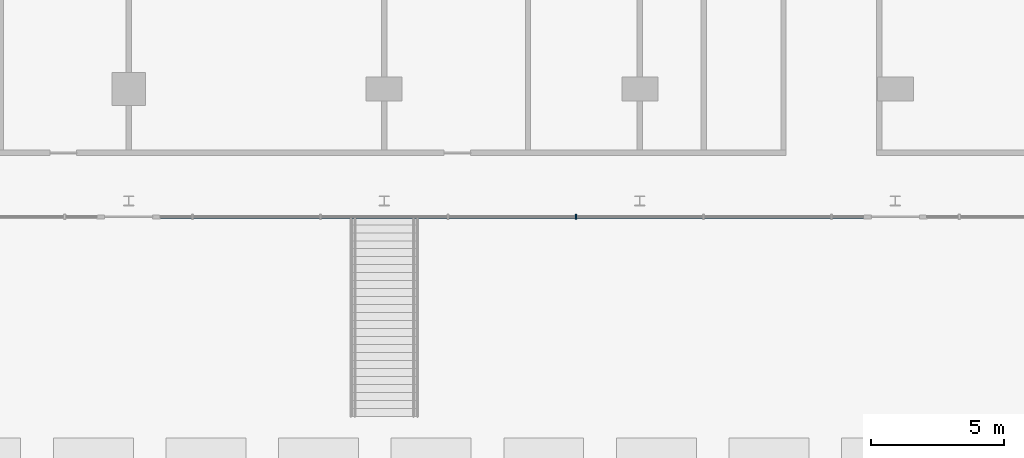
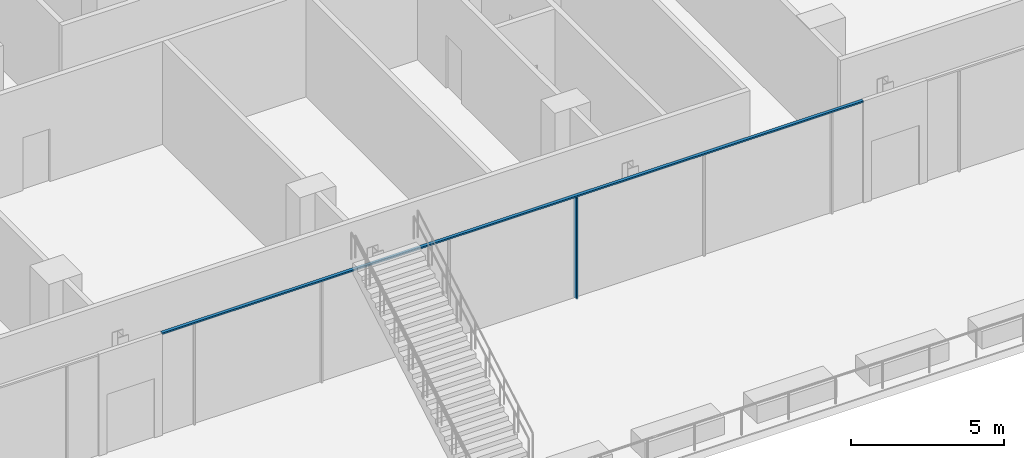
# One storey, part 6 of 32: 2 members, 1 element without a shape of its own.
"""IFC4 building model written with IfcOpenShell, lengths in metres."""

from ifc_helpers import new_model, si_unit, direction, frame, origin, origin_2d, place, context, subcontext, project, spatial, rectangle, extrude, material, layer, layer_set, material_profile, profile_set, type_object, element, aggregate, save


model = new_model("IFC4")

# Units and contexts
model_context = context("Model", 3, precision=1e-05, world=origin(), true_north=direction((0.0, 1.0)))
body_context = subcontext(model_context, "Body", "Model", "MODEL_VIEW")
ifc_project = project(units=[si_unit("LENGTHUNIT", "METRE"), si_unit("AREAUNIT", "SQUARE_METRE"), si_unit("VOLUMEUNIT", "CUBIC_METRE"), si_unit("PLANEANGLEUNIT", "RADIAN"), si_unit("MASSUNIT", "GRAM", prefix="KILO")], contexts=[model_context])

# Site, building, storey
site_placement = place(None, origin())
site = spatial("IfcSite", under=ifc_project, at=site_placement, CompositionType="ELEMENT")
building_placement = place(site_placement, origin())
building = spatial("IfcBuilding", under=site, at=building_placement, Name="Madar Terraces", CompositionType="ELEMENT")
storey_placement = place(building_placement, frame((0.0, 0.0, 19.5)))
storey = spatial("IfcBuildingStorey", under=building, at=storey_placement, Name="L04", CompositionType="ELEMENT", Elevation=19.5)

# Curtain wall, members
ifc_material_1 = material(Name="Glass, clear low-iron, with black aluminium frame", Category="aluminium")
ifc_layer = layer(ifc_material_1, 0.199951171875)
ifc_layer_set = layer_set([ifc_layer], Name="Facade curtain wall, shopfront glazing")
curtain_wall_type = type_object("IfcCurtainWallType", Name="Facade curtain wall, shopfront glazing", PredefinedType="NOTDEFINED", material=ifc_layer_set)
curtain_wall_placement = place(storey_placement, origin())
curtain_wall = element("IfcCurtainWall", 1, at=curtain_wall_placement, inside=storey, type_object=curtain_wall_type, Name="Outer skin curtain wall south bay 1", PredefinedType="NOTDEFINED")
ifc_material_2 = material(Name="Aluminium, black anodised", Category="aluminium")
ifc_material_profile_1 = material_profile(ifc_material_2, rectangle(XDim=0.199951171875, YDim=0.06005859375, at=origin_2d()), Name="Facade mullion 60x200")
ifc_profile_set_1 = profile_set([ifc_material_profile_1], Name="Aluminium, black anodised")
member_type_1 = type_object("IfcMemberType", Name="Facade mullion 60x200", PredefinedType="MULLION", material=ifc_profile_set_1)
member_1_placement = place(storey_placement, frame((21.60009765625, -4.800048828125, 0.0), z_axis=(0.0, 0.0, 1.0), x_axis=(0.0, 1.0, 0.0)))
member_1 = element("IfcMember", 2, at=member_1_placement, type_object=member_type_1, Name="Mullion 5", PredefinedType="MULLION", context=body_context, shape_type="SweptSolid", body=[
    extrude(rectangle(XDim=0.199951171875, YDim=0.06005859375, at=origin_2d()), origin(), (0.0, 0.0, 1.0), 4.0400390625),
])
ifc_material_3 = material(Name="Aluminium, black anodised", Category="aluminium")
ifc_material_profile_2 = material_profile(ifc_material_3, rectangle(XDim=0.1201171875, YDim=0.06005859375, at=origin_2d()), Name="Facade transom 60x120")
ifc_profile_set_2 = profile_set([ifc_material_profile_2], Name="Aluminium, black anodised")
member_type_2 = type_object("IfcMemberType", Name="Facade transom 60x120", PredefinedType="USERDEFINED", material=ifc_profile_set_2)
member_2_placement = place(storey_placement, frame((6.0, -4.800048828125, 4.070068359375), z_axis=(1.0, 0.0, 0.0), x_axis=(0.0, 1.0, 0.0)))
member_2 = element("IfcMember", 3, at=member_2_placement, type_object=member_type_2, Name="Transom 2", ObjectType="TRANSOM", PredefinedType="USERDEFINED", context=body_context, shape_type="SweptSolid", body=[
    extrude(rectangle(XDim=0.1201171875, YDim=0.06005859375, at=origin_2d()), origin(), (0.0, 0.0, 1.0), 26.39990234375),
])
aggregate(curtain_wall, [member_1, member_2])

save(model, "model.ifc")
